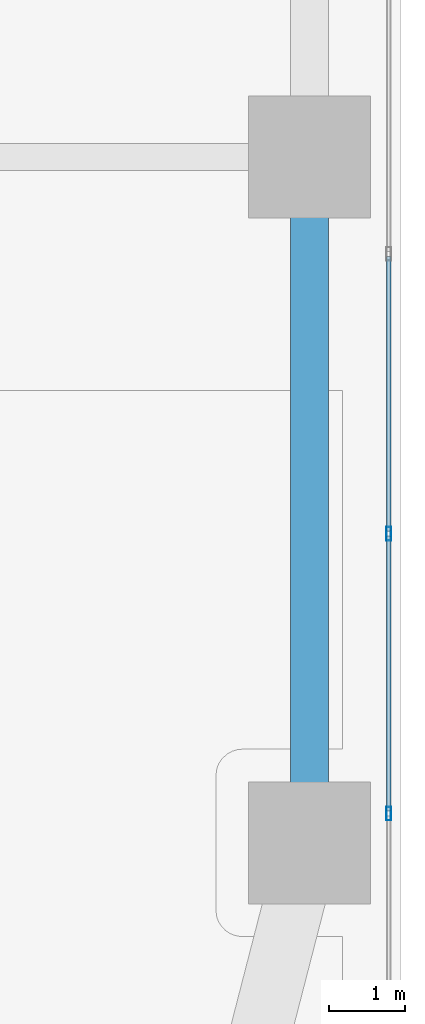
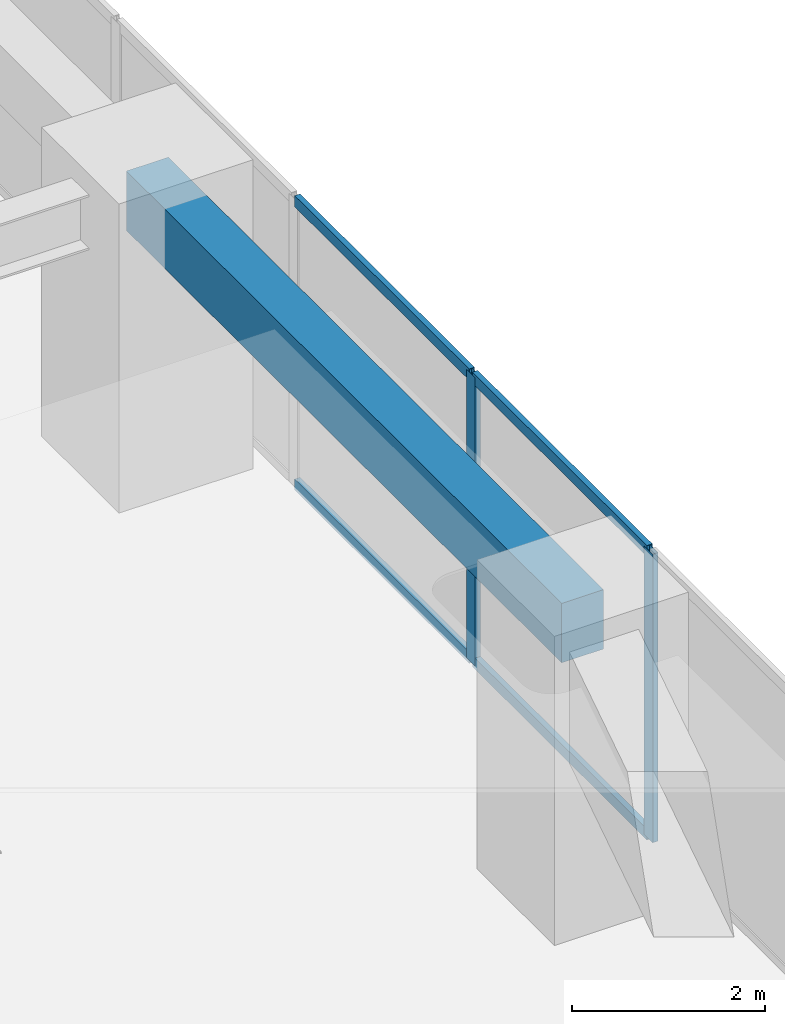
# One storey, part 6 of 29: 6 members, 1 beam, 1 element without a shape of its own.
"""IFC4 building model written with IfcOpenShell, lengths in metres."""

from ifc_helpers import new_model, si_unit, direction, frame, origin, origin_2d, place, context, subcontext, project, spatial, rectangle, hollow_rectangle, extrude, material, layer, layer_set, material_profile, profile_set, type_object, element, aggregate, save


model = new_model("IFC4")

# Units and contexts
model_context = context("Model", 3, precision=1e-05, world=origin(), true_north=direction((0.0, 1.0)))
body_context = subcontext(model_context, "Body", "Model", "MODEL_VIEW")
ifc_project = project(units=[si_unit("LENGTHUNIT", "METRE"), si_unit("AREAUNIT", "SQUARE_METRE"), si_unit("VOLUMEUNIT", "CUBIC_METRE"), si_unit("PLANEANGLEUNIT", "RADIAN"), si_unit("MASSUNIT", "GRAM", prefix="KILO")], contexts=[model_context])

# Site, building, storey
site_placement = place(None, origin())
site = spatial("IfcSite", under=ifc_project, at=site_placement, CompositionType="ELEMENT")
building_placement = place(site_placement, origin())
building = spatial("IfcBuilding", under=site, at=building_placement, Name="Kiyonajd Concourse Tower", CompositionType="ELEMENT")
storey_placement = place(building_placement, frame((0.0, 0.0, 45.0)))
storey = spatial("IfcBuildingStorey", under=building, at=storey_placement, Name="L12", CompositionType="ELEMENT", Elevation=45.0)

# Beam
ifc_material_1 = material(Name="Precast concrete C50/60", Category="concrete")
ifc_material_profile_1 = material_profile(ifc_material_1, rectangle(XDim=0.5, YDim=0.75, at=origin_2d()), Name="RCBM-500x750")
ifc_profile_set_1 = profile_set([ifc_material_profile_1], Name="Precast concrete C50/60")
beam_type = type_object("IfcBeamType", Name="BM-SPAN-RC", PredefinedType="SPANDREL", material=ifc_profile_set_1)
beam_placement = place(storey_placement, frame((78.0, 18.60009765625, 3.264892578125), z_axis=(0.0, 1.0, 0.0), x_axis=(-1.0, 0.0, 0.0)))
element("IfcBeam", 1, at=beam_placement, inside=storey, type_object=beam_type, Name="L12 Perimeter Bundled Tube Spandrel", PredefinedType="SPANDREL", context=body_context, shape_type="SweptSolid", body=[
    extrude(rectangle(XDim=0.5, YDim=0.75, at=origin_2d()), origin(), (0.0, 0.0, 1.0), 9.0),
])

# Curtain wall, members
ifc_material_2 = material(Name="Thermally Broken Anodised Aluminium", Category="aluminium")
ifc_layer = layer(ifc_material_2, 0.179931640625)
ifc_layer_set = layer_set([ifc_layer], Name="Thermally Broken Anodised Aluminium")
curtain_wall_type = type_object("IfcCurtainWallType", Name="CW-SYS-02", PredefinedType="NOTDEFINED", material=ifc_layer_set)
curtain_wall_placement = place(storey_placement, origin())
curtain_wall = element("IfcCurtainWall", 2, at=curtain_wall_placement, inside=storey, type_object=curtain_wall_type, Name="L12 Unitised Curtain Wall CW2", PredefinedType="NOTDEFINED")
ifc_material_profile_2 = material_profile(ifc_material_2, hollow_rectangle(XDim=0.06494140625, YDim=0.179931640625, WallThickness=0.00390625, at=origin_2d()), Name="MULL-65x180")
ifc_profile_set_2 = profile_set([ifc_material_profile_2], Name="Thermally Broken Anodised Aluminium")
member_type_1 = type_object("IfcMemberType", Name="MB-CW-MULL1", PredefinedType="MULLION", material=ifc_profile_set_2)
member_1_placement = place(storey_placement, frame((79.0400390625, 22.657470703125, 0.0), z_axis=(0.0, 0.0, 1.0), x_axis=(1.0, 0.0, 0.0)))
member_1 = element("IfcMember", 3, at=member_1_placement, type_object=member_type_1, Name="CW2 mullion 5", PredefinedType="MULLION", context=body_context, shape_type="SweptSolid", body=[
    extrude(hollow_rectangle(XDim=0.06494140625, YDim=0.179931640625, WallThickness=0.00390625, at=origin_2d()), origin(), (0.0, 0.0, 1.0), 3.639892578125),
])
member_2_placement = place(storey_placement, frame((79.0400390625, 18.984130859375, 0.0), z_axis=(0.0, 0.0, 1.0), x_axis=(1.0, 0.0, 0.0)))
member_2 = element("IfcMember", 4, at=member_2_placement, type_object=member_type_1, Name="CW2 mullion 6", PredefinedType="MULLION", context=body_context, shape_type="SweptSolid", body=[
    extrude(hollow_rectangle(XDim=0.06494140625, YDim=0.179931640625, WallThickness=0.00390625, at=origin_2d()), origin(), (0.0, 0.0, 1.0), 3.639892578125),
])
ifc_material_profile_3 = material_profile(ifc_material_2, hollow_rectangle(XDim=0.06494140625, YDim=0.139892578125, WallThickness=0.00390625, at=origin_2d()), Name="TRAN-65x140")
ifc_profile_set_3 = profile_set([ifc_material_profile_3], Name="Thermally Broken Anodised Aluminium")
member_type_2 = type_object("IfcMemberType", Name="MB-CW-TRAN1", PredefinedType="USERDEFINED", material=ifc_profile_set_3)
member_3_placement = place(storey_placement, frame((79.0400390625, 26.298095703125, 0.032470703125), z_axis=(0.0, -1.0, 0.0), x_axis=(1.0, 0.0, 0.0)))
member_3 = element("IfcMember", 5, at=member_3_placement, type_object=member_type_2, Name="CW2 transom 4.1", ObjectType="TRANSOM", PredefinedType="USERDEFINED", context=body_context, shape_type="SweptSolid", body=[
    extrude(hollow_rectangle(XDim=0.06494140625, YDim=0.139892578125, WallThickness=0.00390625, at=origin_2d()), origin(), (0.0, 0.0, 1.0), 3.608154296875),
])
member_4_placement = place(storey_placement, frame((79.0400390625, 26.298095703125, 3.607421875), z_axis=(0.0, -1.0, 0.0), x_axis=(1.0, 0.0, 0.0)))
member_4 = element("IfcMember", 6, at=member_4_placement, type_object=member_type_2, Name="CW2 transom 4.2", ObjectType="TRANSOM", PredefinedType="USERDEFINED", context=body_context, shape_type="SweptSolid", body=[
    extrude(hollow_rectangle(XDim=0.06494140625, YDim=0.139892578125, WallThickness=0.00390625, at=origin_2d()), origin(), (0.0, 0.0, 1.0), 3.608154296875),
])
member_5_placement = place(storey_placement, frame((79.0400390625, 22.625, 0.032470703125), z_axis=(0.0, -1.0, 0.0), x_axis=(1.0, 0.0, 0.0)))
member_5 = element("IfcMember", 7, at=member_5_placement, type_object=member_type_2, Name="CW2 transom 5.1", ObjectType="TRANSOM", PredefinedType="USERDEFINED", context=body_context, shape_type="SweptSolid", body=[
    extrude(hollow_rectangle(XDim=0.06494140625, YDim=0.139892578125, WallThickness=0.00390625, at=origin_2d()), origin(), (0.0, 0.0, 1.0), 3.608154296875),
])
member_6_placement = place(storey_placement, frame((79.0400390625, 22.625, 3.607421875), z_axis=(0.0, -1.0, 0.0), x_axis=(1.0, 0.0, 0.0)))
member_6 = element("IfcMember", 8, at=member_6_placement, type_object=member_type_2, Name="CW2 transom 5.2", ObjectType="TRANSOM", PredefinedType="USERDEFINED", context=body_context, shape_type="SweptSolid", body=[
    extrude(hollow_rectangle(XDim=0.06494140625, YDim=0.139892578125, WallThickness=0.00390625, at=origin_2d()), origin(), (0.0, 0.0, 1.0), 3.608154296875),
])
aggregate(curtain_wall, [member_1, member_2, member_3, member_4, member_5, member_6])

save(model, "model.ifc")
